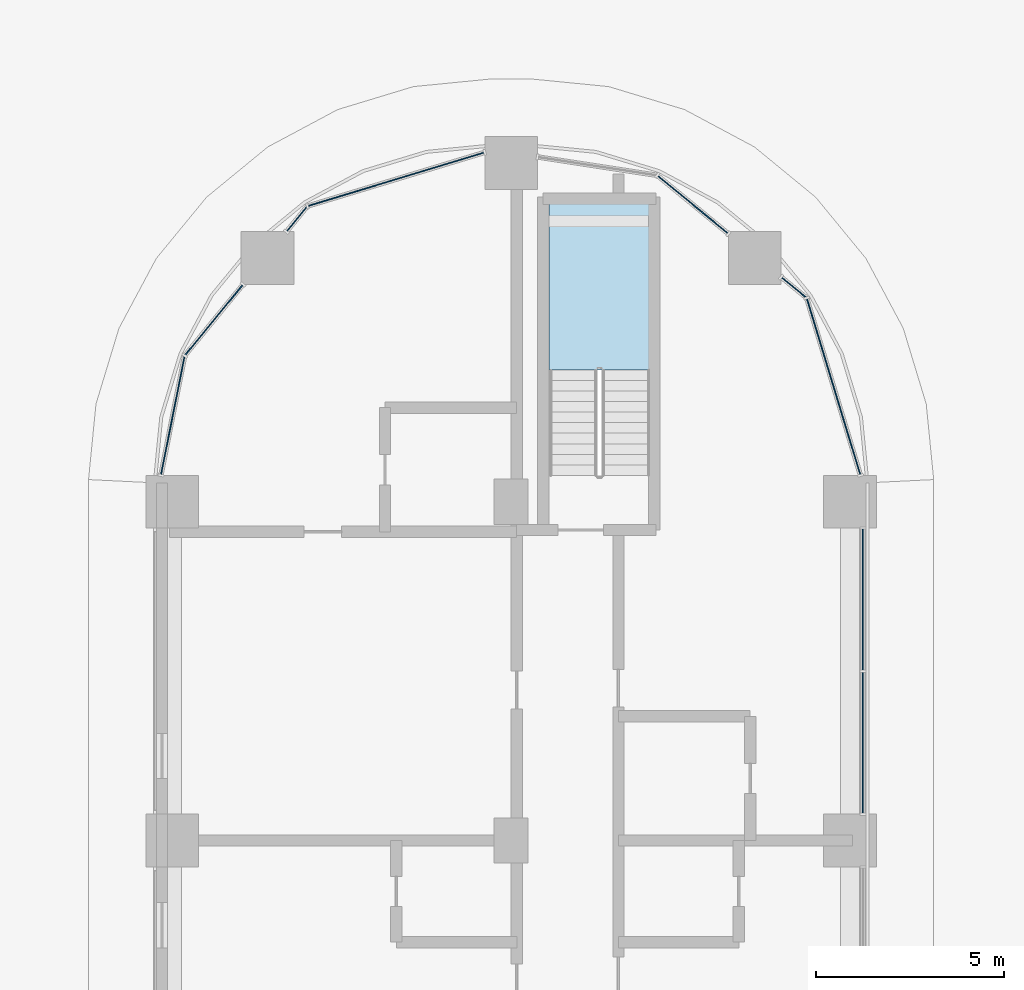
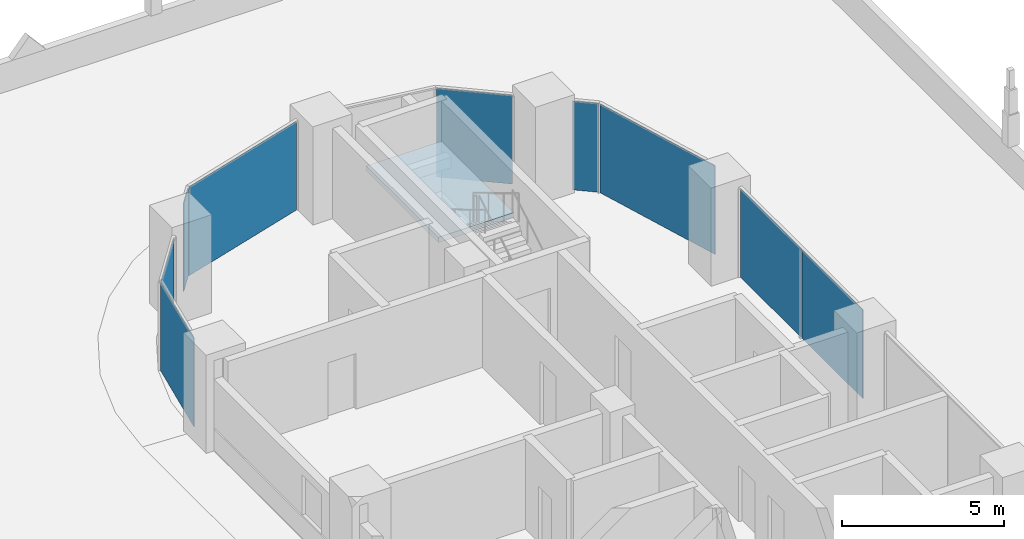
# One storey, part 16 of 51: 9 plates, 1 slab, 6 elements without a shape of their own.
"""IFC4 building model written with IfcOpenShell, lengths in metres."""

from ifc_helpers import new_model, si_unit, direction, frame, origin, origin_2d, place, context, subcontext, project, spatial, polyline, rectangle, outline, extrude, material, layer, layer_set, type_object, element, aggregate, save


model = new_model("IFC4")

# Units and contexts
model_context = context("Model", 3, precision=1e-05, world=origin(), true_north=direction((0.0, 1.0)))
body_context = subcontext(model_context, "Body", "Model", "MODEL_VIEW")
ifc_project = project(units=[si_unit("LENGTHUNIT", "METRE"), si_unit("AREAUNIT", "SQUARE_METRE"), si_unit("VOLUMEUNIT", "CUBIC_METRE"), si_unit("PLANEANGLEUNIT", "RADIAN"), si_unit("MASSUNIT", "GRAM", prefix="KILO")], contexts=[model_context])

# Site, building, storey
site_placement = place(None, origin())
site = spatial("IfcSite", under=ifc_project, at=site_placement, CompositionType="ELEMENT")
building_placement = place(site_placement, origin())
building = spatial("IfcBuilding", under=site, at=building_placement, Name="Ogive Portal Towers", CompositionType="ELEMENT")
storey_placement = place(building_placement, frame((0.0, 0.0, 33.5)))
storey = spatial("IfcBuildingStorey", under=building, at=storey_placement, Name="L06", CompositionType="ELEMENT", Elevation=33.5)

# Curtain wall, plates
ifc_material_1 = material(Name="Glass, clear low-iron insulated glazing", Category="glass")
curtain_wall_type = type_object("IfcCurtainWallType", Name="CW FRONT RIBBON 4500", PredefinedType="NOTDEFINED", material=ifc_material_1)
curtain_wall_1_placement = place(storey_placement, origin())
curtain_wall_1 = element("IfcCurtainWall", 1, at=curtain_wall_1_placement, inside=storey, type_object=curtain_wall_type, Name="A:L06:f06:cw0~2", PredefinedType="NOTDEFINED")
ifc_layer_1 = layer(ifc_material_1, 0.028076171875)
ifc_layer_set_1 = layer_set([ifc_layer_1], Name="CW PANEL IGU 28")
plate_type = type_object("IfcPlateType", Name="CW PANEL IGU 28", PredefinedType="CURTAIN_PANEL", material=ifc_layer_set_1)
plate_1_placement = place(storey_placement, frame((49.844970703125, 60.10009765625, 0.0), z_axis=(0.0, 0.0, 1.0), x_axis=(0.0, 1.0, 0.0)))
plate_1 = element("IfcPlate", 2, at=plate_1_placement, type_object=plate_type, Name="panel", PredefinedType="CURTAIN_PANEL", context=body_context, shape_type="SweptSolid", body=[
    extrude(rectangle(XDim=3.739990234375, YDim=0.028076171875, at=origin_2d()), origin(), (0.0, 0.0, 1.0), 3.340087890625),
])
plate_2_placement = place(storey_placement, frame((49.844970703125, 63.89990234375, 0.0), z_axis=(0.0, 0.0, 1.0), x_axis=(0.0, 1.0, 0.0)))
plate_2 = element("IfcPlate", 3, at=plate_2_placement, type_object=plate_type, Name="panel", PredefinedType="CURTAIN_PANEL", context=body_context, shape_type="SweptSolid", body=[
    extrude(rectangle(XDim=3.739990234375, YDim=0.028076171875, at=origin_2d()), origin(), (0.0, 0.0, 1.0), 3.340087890625),
])
aggregate(curtain_wall_1, [plate_1, plate_2])

curtain_wall_2_placement = place(storey_placement, origin())
curtain_wall_2 = element("IfcCurtainWall", 4, at=curtain_wall_2_placement, inside=storey, type_object=curtain_wall_type, Name="A:L06:f07:cwa~0", PredefinedType="NOTDEFINED")
plate_3_placement = place(storey_placement, frame((49.066162109375, 69.555908203125, 0.0), z_axis=(0.0, 0.0, 1.0), x_axis=(-0.290284677254, 0.956940335732, 0.0)))
plate_3 = element("IfcPlate", 5, at=plate_3_placement, type_object=plate_type, Name="panel", PredefinedType="CURTAIN_PANEL", context=body_context, shape_type="SweptSolid", body=[
    extrude(rectangle(XDim=4.864013671875, YDim=0.028076171875, at=origin_2d()), origin(), (0.0, 0.0, 1.0), 3.340087890625),
])
plate_4_placement = place(storey_placement, frame((48.01220703125, 72.1904296875, 0.0), z_axis=(0.0, 0.0, 1.0), x_axis=(-0.773010453363, 0.634393284164, 0.0)))
plate_4 = element("IfcPlate", 6, at=plate_4_placement, type_object=plate_type, Name="panel", PredefinedType="CURTAIN_PANEL", context=body_context, shape_type="SweptSolid", body=[
    extrude(rectangle(XDim=0.817626953125, YDim=0.028076171875, at=origin_2d()), origin(), (0.0, 0.0, 1.0), 3.340087890625),
])
aggregate(curtain_wall_2, [plate_3, plate_4])

# Curtain wall, plate
curtain_wall_3_placement = place(storey_placement, origin())
curtain_wall_3 = element("IfcCurtainWall", 7, at=curtain_wall_3_placement, inside=storey, type_object=curtain_wall_type, Name="A:L06:f07:cwa~1", PredefinedType="NOTDEFINED")
plate_5_placement = place(storey_placement, frame((45.327392578125, 74.393798828125, 0.0), z_axis=(0.0, 0.0, 1.0), x_axis=(-0.773010453363, 0.634393284164, 0.0)))
plate_5 = element("IfcPlate", 8, at=plate_5_placement, type_object=plate_type, Name="panel", PredefinedType="CURTAIN_PANEL", context=body_context, shape_type="SweptSolid", body=[
    extrude(rectangle(XDim=2.38671875, YDim=0.028076171875, at=origin_2d()), origin(), (0.0, 0.0, 1.0), 3.340087890625),
])
aggregate(curtain_wall_3, [plate_5])

# Curtain wall, plates
curtain_wall_4_placement = place(storey_placement, origin())
curtain_wall_4 = element("IfcCurtainWall", 9, at=curtain_wall_4_placement, inside=storey, type_object=curtain_wall_type, Name="A:L06:f07:cwa~2", PredefinedType="NOTDEFINED")
plate_6_placement = place(storey_placement, frame((37.444091796875, 75.066162109375, 0.0), z_axis=(0.0, 0.0, 1.0), x_axis=(-0.956940335732, -0.290284677254, 0.0)))
plate_6 = element("IfcPlate", 10, at=plate_6_placement, type_object=plate_type, Name="panel", PredefinedType="CURTAIN_PANEL", context=body_context, shape_type="SweptSolid", body=[
    extrude(rectangle(XDim=4.864013671875, YDim=0.028076171875, at=origin_2d()), origin(), (0.0, 0.0, 1.0), 3.340087890625),
])
plate_7_placement = place(storey_placement, frame((34.8095703125, 74.01220703125, 0.0), z_axis=(0.0, 0.0, 1.0), x_axis=(-0.634393284164, -0.773010453363, 0.0)))
plate_7 = element("IfcPlate", 11, at=plate_7_placement, type_object=plate_type, Name="panel", PredefinedType="CURTAIN_PANEL", context=body_context, shape_type="SweptSolid", body=[
    extrude(rectangle(XDim=0.817626953125, YDim=0.028076171875, at=origin_2d()), origin(), (0.0, 0.0, 1.0), 3.340087890625),
])
aggregate(curtain_wall_4, [plate_6, plate_7])

curtain_wall_5_placement = place(storey_placement, origin())
curtain_wall_5 = element("IfcCurtainWall", 12, at=curtain_wall_5_placement, inside=storey, type_object=curtain_wall_type, Name="A:L06:f07:cwa~3", PredefinedType="NOTDEFINED")
plate_8_placement = place(storey_placement, frame((32.605712890625, 71.32666015625, 0.0), z_axis=(0.0, 0.0, 1.0), x_axis=(-0.634393284164, -0.773010453363, 0.0)))
plate_8 = element("IfcPlate", 13, at=plate_8_placement, type_object=plate_type, Name="panel", PredefinedType="CURTAIN_PANEL", context=body_context, shape_type="SweptSolid", body=[
    extrude(rectangle(XDim=2.388671875, YDim=0.028076171875, at=origin_2d()), origin(), (0.0, 0.0, 1.0), 3.340087890625),
])
plate_9_placement = place(storey_placement, frame((31.5126953125, 68.7900390625, 0.0), z_axis=(0.0, 0.0, 1.0), x_axis=(-0.195090322016, -0.980785280403, 0.0)))
plate_9 = element("IfcPlate", 14, at=plate_9_placement, type_object=plate_type, Name="panel", PredefinedType="CURTAIN_PANEL", context=body_context, shape_type="SweptSolid", body=[
    extrude(rectangle(XDim=3.182373046875, YDim=0.028076171875, at=origin_2d()), origin(), (0.0, 0.0, 1.0), 3.340087890625),
])
aggregate(curtain_wall_5, [plate_8, plate_9])

# Stair, slab
ifc_material_2 = material(Name="Concrete C40/50", Category="concrete")
stair_type = type_object("IfcStairType", Name="INT-STAIR", PredefinedType="HALF_TURN_STAIR", material=ifc_material_2)
stair_placement = place(storey_placement, origin())
stair = element("IfcStair", 15, at=stair_placement, inside=storey, type_object=stair_type, Name="L06 Exit Stair ST-A3", PredefinedType="HALF_TURN_STAIR")
ifc_layer_2 = layer(ifc_material_2, 0.199951171875)
ifc_layer_set_2 = layer_set([ifc_layer_2], Name="INT-LANDING")
slab_type = type_object("IfcSlabType", Name="INT-LANDING", PredefinedType="LANDING", material=ifc_layer_set_2)
slab_placement = place(storey_placement, frame((0.0, 0.0, 1.64990234375)))
slab = element("IfcSlab", 16, at=slab_placement, type_object=slab_type, Name="ST-A3 landing 1", PredefinedType="LANDING", context=body_context, shape_type="SweptSolid", body=[
    extrude(outline(polyline([(44.199951171875, 70.0), (44.199951171875, 74.449951171875), (41.5, 74.449951171875), (41.5, 70.0), (44.199951171875, 70.0)])), origin(), (0.0, 0.0, 1.0), 0.2001953125),
])
aggregate(stair, [slab])

save(model, "model.ifc")
